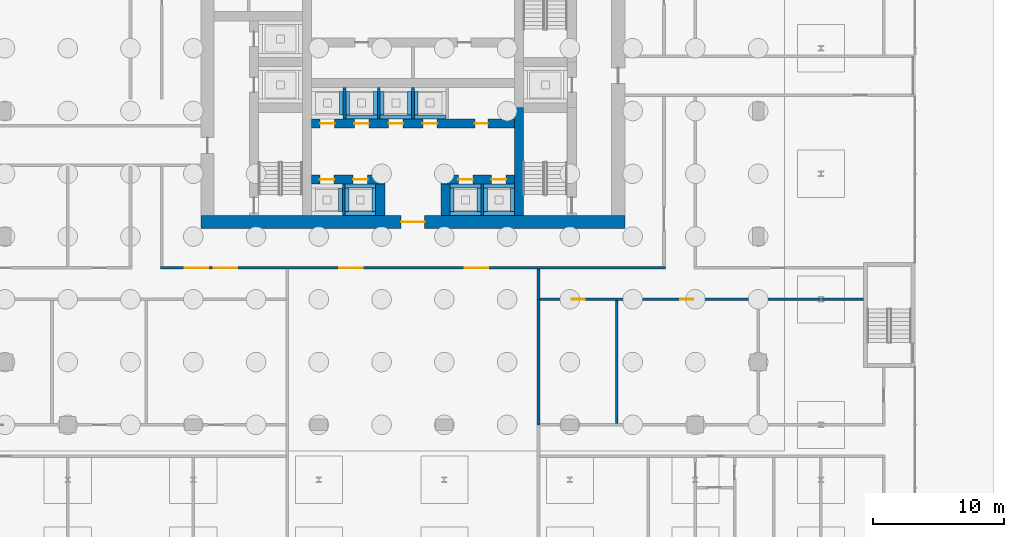
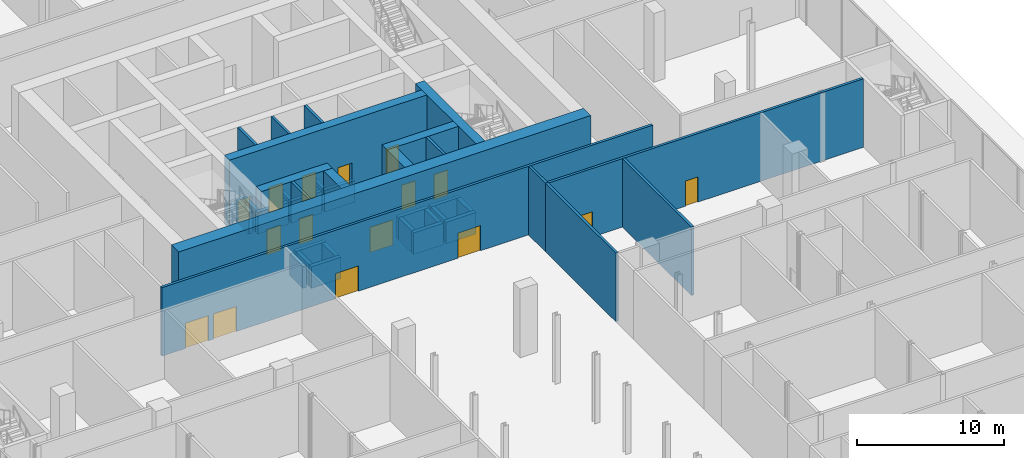
# One storey, part 33 of 44: 39 walls, 16 doors, 16 openings.
"""IFC4 building model written with IfcOpenShell, lengths in metres."""

from ifc_helpers import new_model, si_unit, direction, frame, frame_2d, origin, place, context, subcontext, project, spatial, rectangle, extrude, material, layer, layer_set, type_object, element, fill, save


model = new_model("IFC4")

# Units and contexts
model_context = context("Model", 3, precision=1e-05, world=origin(), true_north=direction((0.0, 1.0)))
body_context = subcontext(model_context, "Body", "Model", "MODEL_VIEW")
ifc_project = project(units=[si_unit("LENGTHUNIT", "METRE"), si_unit("AREAUNIT", "SQUARE_METRE"), si_unit("VOLUMEUNIT", "CUBIC_METRE"), si_unit("PLANEANGLEUNIT", "RADIAN"), si_unit("MASSUNIT", "GRAM", prefix="KILO")], contexts=[model_context])

# Site, building, storey
site_placement = place(None, origin())
site = spatial("IfcSite", under=ifc_project, at=site_placement, CompositionType="ELEMENT")
building_placement = place(site_placement, origin())
building = spatial("IfcBuilding", under=site, at=building_placement, Name="Madar Terraces", CompositionType="ELEMENT")
storey_placement = place(building_placement, origin())
storey = spatial("IfcBuildingStorey", under=building, at=storey_placement, Name="L00", CompositionType="ELEMENT", Elevation=0.0)

# Wall
ifc_material_1 = material(Name="Concrete C80/95", Category="concrete")
ifc_layer_1 = layer(ifc_material_1, 0.699951171875)
ifc_layer_set_1 = layer_set([ifc_layer_1], Name="Concrete C80/95 (CIW1 RC wall 700)")
wall_type_1 = type_object("IfcWallType", Name="CIW1 RC wall 700", PredefinedType="SHEAR", material=ifc_layer_set_1)
wall_1_placement = place(storey_placement, frame((39.300048828125, 16.0, 0.0), z_axis=(0.0, 0.0, 1.0), x_axis=(0.0, 1.0, 0.0)))
element("IfcWall", 1, at=wall_1_placement, inside=storey, type_object=wall_type_1, Name="CORE SHAFT WALL", PredefinedType="SHEAR", context=body_context, shape_type="SweptSolid", body=[
    extrude(rectangle(XDim=8.25, YDim=0.699951171875, at=frame_2d((4.125, 0.0))), origin(), (0.0, 0.0, 1.0), 5.699951171875),
])

# Wall, openings, doors
wall_2_placement = place(storey_placement, frame((23.449951171875, 18.75, 0.0), z_axis=(0.0, 0.0, 1.0), x_axis=(1.0, 0.0, 0.0)))
wall_2 = element("IfcWall", 2, at=wall_2_placement, inside=storey, type_object=wall_type_1, Name="CORE SHAFT WALL", PredefinedType="SHEAR", context=body_context, shape_type="SweptSolid", body=[
    extrude(rectangle(XDim=5.60009765625, YDim=0.699951171875, at=frame_2d((2.800048828125, 0.0))), origin(), (0.0, 0.0, 1.0), 5.699951171875),
])
opening_1_placement = place(wall_2_placement, frame((0.625, 0.0, 0.0)))
opening_1 = element("IfcOpeningElement", 3, at=opening_1_placement, cuts=wall_2, Name="Opening LD", PredefinedType="OPENING", context=body_context, shape_type="SweptSolid", body=[
    extrude(rectangle(XDim=1.10009765625, YDim=2.10009765625, at=frame_2d((0.550048828125, 1.050048828125))), frame((0.0, 0.35986328125, 0.0), z_axis=(0.0, -1.0, 0.0), x_axis=(1.0, 0.0, 0.0)), (0.0, 0.0, 1.0), 0.719970703125),
])
opening_2_placement = place(wall_2_placement, frame((3.175048828125, 0.0, 0.0)))
opening_2 = element("IfcOpeningElement", 4, at=opening_2_placement, cuts=wall_2, Name="Opening LD", PredefinedType="OPENING", context=body_context, shape_type="SweptSolid", body=[
    extrude(rectangle(XDim=1.10009765625, YDim=2.10009765625, at=frame_2d((0.550048828125, 1.050048828125))), frame((0.0, 0.35986328125, 0.0), z_axis=(0.0, -1.0, 0.0), x_axis=(1.0, 0.0, 0.0)), (0.0, 0.0, 1.0), 0.719970703125),
])
ifc_material_2 = material(Name="Stainless steel panel", Category="steel")
door_type_1 = type_object("IfcDoorType", Name="Lift landing door 1100 x 2100", OperationType="DOUBLE_DOOR_SLIDING", PredefinedType="DOOR", material=ifc_material_2)
door_1_placement = place(opening_1_placement, origin())
door_1 = element("IfcDoor", 5, at=door_1_placement, inside=storey, type_object=door_type_1, Name="LIFT LANDING DOOR", OperationType="DOUBLE_DOOR_SLIDING", OverallHeight=2.10009765625, OverallWidth=1.10009765625, PredefinedType="DOOR", context=body_context, shape_type="SweptSolid", body=[
    extrude(rectangle(XDim=1.10009765625, YDim=2.10009765625, at=frame_2d((0.550048828125, 1.050048828125))), frame((0.0, 0.02490234375, 0.0), z_axis=(0.0, -1.0, 0.0), x_axis=(1.0, 0.0, 0.0)), (0.0, 0.0, 1.0), 0.050048828125),
])
fill(opening_1, door_1)
door_2_placement = place(opening_2_placement, origin())
door_2 = element("IfcDoor", 6, at=door_2_placement, inside=storey, type_object=door_type_1, Name="LIFT LANDING DOOR", OperationType="DOUBLE_DOOR_SLIDING", OverallHeight=2.10009765625, OverallWidth=1.10009765625, PredefinedType="DOOR", context=body_context, shape_type="SweptSolid", body=[
    extrude(rectangle(XDim=1.10009765625, YDim=2.10009765625, at=frame_2d((0.550048828125, 1.050048828125))), frame((0.0, 0.02490234375, 0.0), z_axis=(0.0, -1.0, 0.0), x_axis=(1.0, 0.0, 0.0)), (0.0, 0.0, 1.0), 0.050048828125),
])
fill(opening_2, door_2)

wall_3_placement = place(storey_placement, frame((33.35009765625, 18.75, 0.0), z_axis=(0.0, 0.0, 1.0), x_axis=(1.0, 0.0, 0.0)))
wall_3 = element("IfcWall", 7, at=wall_3_placement, inside=storey, type_object=wall_type_1, Name="CORE SHAFT WALL", PredefinedType="SHEAR", context=body_context, shape_type="SweptSolid", body=[
    extrude(rectangle(XDim=5.599853515625, YDim=0.699951171875, at=frame_2d((2.7998046875, 0.0))), origin(), (0.0, 0.0, 1.0), 5.699951171875),
])
opening_3_placement = place(wall_3_placement, frame((1.324951171875, 0.0, 0.0)))
opening_3 = element("IfcOpeningElement", 8, at=opening_3_placement, cuts=wall_3, Name="Opening LD", PredefinedType="OPENING", context=body_context, shape_type="SweptSolid", body=[
    extrude(rectangle(XDim=1.10009765625, YDim=2.10009765625, at=frame_2d((0.550048828125, 1.050048828125))), frame((0.0, 0.35986328125, 0.0), z_axis=(0.0, -1.0, 0.0), x_axis=(1.0, 0.0, 0.0)), (0.0, 0.0, 1.0), 0.719970703125),
])
opening_4_placement = place(wall_3_placement, frame((3.875, 0.0, 0.0)))
opening_4 = element("IfcOpeningElement", 9, at=opening_4_placement, cuts=wall_3, Name="Opening LD", PredefinedType="OPENING", context=body_context, shape_type="SweptSolid", body=[
    extrude(rectangle(XDim=1.10009765625, YDim=2.10009765625, at=frame_2d((0.550048828125, 1.050048828125))), frame((0.0, 0.35986328125, 0.0), z_axis=(0.0, -1.0, 0.0), x_axis=(1.0, 0.0, 0.0)), (0.0, 0.0, 1.0), 0.719970703125),
])
door_3_placement = place(opening_3_placement, origin())
door_3 = element("IfcDoor", 10, at=door_3_placement, inside=storey, type_object=door_type_1, Name="LIFT LANDING DOOR", OperationType="DOUBLE_DOOR_SLIDING", OverallHeight=2.10009765625, OverallWidth=1.10009765625, PredefinedType="DOOR", context=body_context, shape_type="SweptSolid", body=[
    extrude(rectangle(XDim=1.10009765625, YDim=2.10009765625, at=frame_2d((0.550048828125, 1.050048828125))), frame((0.0, 0.02490234375, 0.0), z_axis=(0.0, -1.0, 0.0), x_axis=(1.0, 0.0, 0.0)), (0.0, 0.0, 1.0), 0.050048828125),
])
fill(opening_3, door_3)
door_4_placement = place(opening_4_placement, origin())
door_4 = element("IfcDoor", 11, at=door_4_placement, inside=storey, type_object=door_type_1, Name="LIFT LANDING DOOR", OperationType="DOUBLE_DOOR_SLIDING", OverallHeight=2.10009765625, OverallWidth=1.10009765625, PredefinedType="DOOR", context=body_context, shape_type="SweptSolid", body=[
    extrude(rectangle(XDim=1.10009765625, YDim=2.10009765625, at=frame_2d((0.550048828125, 1.050048828125))), frame((0.0, 0.02490234375, 0.0), z_axis=(0.0, -1.0, 0.0), x_axis=(1.0, 0.0, 0.0)), (0.0, 0.0, 1.0), 0.050048828125),
])
fill(opening_4, door_4)

wall_4_placement = place(storey_placement, frame((23.449951171875, 23.050048828125, 0.0), z_axis=(0.0, 0.0, 1.0), x_axis=(1.0, 0.0, 0.0)))
wall_4 = element("IfcWall", 12, at=wall_4_placement, inside=storey, type_object=wall_type_1, Name="CORE SHAFT WALL", PredefinedType="SHEAR", context=body_context, shape_type="SweptSolid", body=[
    extrude(rectangle(XDim=15.5, YDim=0.699951171875, at=frame_2d((7.75, 0.0))), origin(), (0.0, 0.0, 1.0), 5.699951171875),
])
opening_5_placement = place(wall_4_placement, frame((0.658447265625, 0.0, 0.0)))
opening_5 = element("IfcOpeningElement", 13, at=opening_5_placement, cuts=wall_4, Name="Opening LD", PredefinedType="OPENING", context=body_context, shape_type="SweptSolid", body=[
    extrude(rectangle(XDim=1.10009765625, YDim=2.10009765625, at=frame_2d((0.550048828125, 1.050048828125))), frame((0.0, 0.35986328125, 0.0), z_axis=(0.0, -1.0, 0.0), x_axis=(1.0, 0.0, 0.0)), (0.0, 0.0, 1.0), 0.719970703125),
])
opening_6_placement = place(wall_4_placement, frame((3.27490234375, 0.0, 0.0)))
opening_6 = element("IfcOpeningElement", 14, at=opening_6_placement, cuts=wall_4, Name="Opening LD", PredefinedType="OPENING", context=body_context, shape_type="SweptSolid", body=[
    extrude(rectangle(XDim=1.10009765625, YDim=2.10009765625, at=frame_2d((0.550048828125, 1.050048828125))), frame((0.0, 0.35986328125, 0.0), z_axis=(0.0, -1.0, 0.0), x_axis=(1.0, 0.0, 0.0)), (0.0, 0.0, 1.0), 0.719970703125),
])
opening_7_placement = place(wall_4_placement, frame((5.8916015625, 0.0, 0.0)))
opening_7 = element("IfcOpeningElement", 15, at=opening_7_placement, cuts=wall_4, Name="Opening LD", PredefinedType="OPENING", context=body_context, shape_type="SweptSolid", body=[
    extrude(rectangle(XDim=1.10009765625, YDim=2.10009765625, at=frame_2d((0.550048828125, 1.050048828125))), frame((0.0, 0.35986328125, 0.0), z_axis=(0.0, -1.0, 0.0), x_axis=(1.0, 0.0, 0.0)), (0.0, 0.0, 1.0), 0.719970703125),
])
opening_8_placement = place(wall_4_placement, frame((8.50830078125, 0.0, 0.0)))
opening_8 = element("IfcOpeningElement", 16, at=opening_8_placement, cuts=wall_4, Name="Opening LD", PredefinedType="OPENING", context=body_context, shape_type="SweptSolid", body=[
    extrude(rectangle(XDim=1.10009765625, YDim=2.10009765625, at=frame_2d((0.550048828125, 1.050048828125))), frame((0.0, 0.35986328125, 0.0), z_axis=(0.0, -1.0, 0.0), x_axis=(1.0, 0.0, 0.0)), (0.0, 0.0, 1.0), 0.719970703125),
])
opening_9_placement = place(wall_4_placement, frame((12.4833984375, 0.0, 0.0)))
opening_9 = element("IfcOpeningElement", 17, at=opening_9_placement, cuts=wall_4, Name="Opening KD2", PredefinedType="OPENING", context=body_context, shape_type="SweptSolid", body=[
    extrude(rectangle(XDim=1.0, YDim=2.10009765625, at=frame_2d((0.5, 1.050048828125))), frame((0.0, 0.35986328125, 0.0), z_axis=(0.0, -1.0, 0.0), x_axis=(1.0, 0.0, 0.0)), (0.0, 0.0, 1.0), 0.719970703125),
])
door_5_placement = place(opening_5_placement, origin())
door_5 = element("IfcDoor", 18, at=door_5_placement, inside=storey, type_object=door_type_1, Name="LIFT LANDING DOOR", OperationType="DOUBLE_DOOR_SLIDING", OverallHeight=2.10009765625, OverallWidth=1.10009765625, PredefinedType="DOOR", context=body_context, shape_type="SweptSolid", body=[
    extrude(rectangle(XDim=1.10009765625, YDim=2.10009765625, at=frame_2d((0.550048828125, 1.050048828125))), frame((0.0, 0.02490234375, 0.0), z_axis=(0.0, -1.0, 0.0), x_axis=(1.0, 0.0, 0.0)), (0.0, 0.0, 1.0), 0.050048828125),
])
fill(opening_5, door_5)
door_6_placement = place(opening_6_placement, origin())
door_6 = element("IfcDoor", 19, at=door_6_placement, inside=storey, type_object=door_type_1, Name="LIFT LANDING DOOR", OperationType="DOUBLE_DOOR_SLIDING", OverallHeight=2.10009765625, OverallWidth=1.10009765625, PredefinedType="DOOR", context=body_context, shape_type="SweptSolid", body=[
    extrude(rectangle(XDim=1.10009765625, YDim=2.10009765625, at=frame_2d((0.550048828125, 1.050048828125))), frame((0.0, 0.02490234375, 0.0), z_axis=(0.0, -1.0, 0.0), x_axis=(1.0, 0.0, 0.0)), (0.0, 0.0, 1.0), 0.050048828125),
])
fill(opening_6, door_6)
door_7_placement = place(opening_7_placement, origin())
door_7 = element("IfcDoor", 20, at=door_7_placement, inside=storey, type_object=door_type_1, Name="LIFT LANDING DOOR", OperationType="DOUBLE_DOOR_SLIDING", OverallHeight=2.10009765625, OverallWidth=1.10009765625, PredefinedType="DOOR", context=body_context, shape_type="SweptSolid", body=[
    extrude(rectangle(XDim=1.10009765625, YDim=2.10009765625, at=frame_2d((0.550048828125, 1.050048828125))), frame((0.0, 0.02490234375, 0.0), z_axis=(0.0, -1.0, 0.0), x_axis=(1.0, 0.0, 0.0)), (0.0, 0.0, 1.0), 0.050048828125),
])
fill(opening_7, door_7)
door_8_placement = place(opening_8_placement, origin())
door_8 = element("IfcDoor", 21, at=door_8_placement, inside=storey, type_object=door_type_1, Name="LIFT LANDING DOOR", OperationType="DOUBLE_DOOR_SLIDING", OverallHeight=2.10009765625, OverallWidth=1.10009765625, PredefinedType="DOOR", context=body_context, shape_type="SweptSolid", body=[
    extrude(rectangle(XDim=1.10009765625, YDim=2.10009765625, at=frame_2d((0.550048828125, 1.050048828125))), frame((0.0, 0.02490234375, 0.0), z_axis=(0.0, -1.0, 0.0), x_axis=(1.0, 0.0, 0.0)), (0.0, 0.0, 1.0), 0.050048828125),
])
fill(opening_8, door_8)
ifc_material_3 = material(Name="Steel door leaf", Category="steel")
door_type_2 = type_object("IfcDoorType", Name="Service room door 1000 x 2100", OperationType="NOTDEFINED", PredefinedType="DOOR", material=ifc_material_3)
door_9_placement = place(opening_9_placement, frame((1.0, 0.0, 0.0), z_axis=(0.0, 0.0, 1.0), x_axis=(-1.0, 0.0, 0.0)))
door_9 = element("IfcDoor", 22, at=door_9_placement, inside=storey, type_object=door_type_2, Name="SERVICE ROOM DOOR", OperationType="SINGLE_SWING_LEFT", OverallHeight=2.10009765625, OverallWidth=1.0, PredefinedType="DOOR", context=body_context, shape_type="SweptSolid", body=[
    extrude(rectangle(XDim=1.0, YDim=2.10009765625, at=frame_2d((0.5, 1.050048828125))), frame((0.0, 0.02490234375, 0.0), z_axis=(0.0, -1.0, 0.0), x_axis=(1.0, 0.0, 0.0)), (0.0, 0.0, 1.0), 0.050048828125),
])
fill(opening_9, door_9)

# Walls
for number, where, z_axis, x_axis, name in (
    (23, (28.699951171875, 16.0, 0.0), (0.0, 0.0, 1.0), (0.0, 1.0, 0.0), "CORE SHAFT WALL"),
    (24, (33.699951171875, 16.0, 0.0), (0.0, 0.0, 1.0), (0.0, 1.0, 0.0), "CORE SHAFT WALL"),
):
    element("IfcWall", number, at=place(storey_placement, frame(where, z_axis=z_axis, x_axis=x_axis)), inside=storey, type_object=wall_type_1, Name=name, PredefinedType="SHEAR", context=body_context, shape_type="SweptSolid", body=[
        extrude(rectangle(XDim=2.39990234375, YDim=0.699951171875, at=frame_2d((1.199951171875, 0.0))), origin(), (0.0, 0.0, 1.0), 5.699951171875),
    ])

# Wall, opening, door
ifc_material_4 = material(Name="Concrete C80/95", Category="concrete")
ifc_layer_2 = layer(ifc_material_4, 1.0)
ifc_layer_set_2 = layer_set([ifc_layer_2], Name="Concrete C80/95 (CRW1 RC wall 1000)")
wall_type_2 = type_object("IfcWallType", Name="CRW1 RC wall 1000", PredefinedType="SHEAR", material=ifc_layer_set_2)
wall_5_placement = place(storey_placement, frame((15.0, 15.5, 0.0), z_axis=(0.0, 0.0, 1.0), x_axis=(1.0, 0.0, 0.0)))
wall_5 = element("IfcWall", 25, at=wall_5_placement, inside=storey, type_object=wall_type_2, Name="CORE OUTER WALL", PredefinedType="SHEAR", context=body_context, shape_type="SweptSolid", body=[
    extrude(rectangle(XDim=32.39990234375, YDim=1.0, at=frame_2d((16.199951171875, 0.0))), origin(), (0.0, 0.0, 1.0), 5.699951171875),
])
opening_10_placement = place(wall_5_placement, frame((15.300048828125, 0.0, 0.0)))
opening_10 = element("IfcOpeningElement", 26, at=opening_10_placement, cuts=wall_5, Name="Opening KD1", PredefinedType="OPENING", context=body_context, shape_type="SweptSolid", body=[
    extrude(rectangle(XDim=1.800048828125, YDim=2.10009765625, at=frame_2d((0.89990234375, 1.050048828125))), frame((0.0, 0.510009765625, 0.0), z_axis=(0.0, -1.0, 0.0), x_axis=(1.0, 0.0, 0.0)), (0.0, 0.0, 1.0), 1.02001953125),
])
ifc_material_5 = material(Name="Steel door leaf", Category="steel")
door_type_3 = type_object("IfcDoorType", Name="Lobby door pair 1800 x 2100", OperationType="DOUBLE_DOOR_SINGLE_SWING", PredefinedType="DOOR", material=ifc_material_5)
door_10_placement = place(opening_10_placement, frame((1.800048828125, 0.0, 0.0), z_axis=(0.0, 0.0, 1.0), x_axis=(-1.0, 0.0, 0.0)))
door_10 = element("IfcDoor", 27, at=door_10_placement, inside=storey, type_object=door_type_3, Name="LIFT LOBBY DOOR", OperationType="DOUBLE_DOOR_SINGLE_SWING", OverallHeight=2.10009765625, OverallWidth=1.800048828125, PredefinedType="DOOR", context=body_context, shape_type="SweptSolid", body=[
    extrude(rectangle(XDim=1.800048828125, YDim=2.10009765625, at=frame_2d((0.89990234375, 1.050048828125))), frame((0.0, 0.02490234375, 0.0), z_axis=(0.0, -1.0, 0.0), x_axis=(1.0, 0.0, 0.0)), (0.0, 0.0, 1.0), 0.050048828125),
])
fill(opening_10, door_10)

# Walls
ifc_material_6 = material(Name="Concrete C40/50", Category="concrete")
ifc_layer_3 = layer(ifc_material_6, 0.199951171875)
ifc_layer_set_3 = layer_set([ifc_layer_3], Name="Core shaft dividing wall 200 C40/50")
wall_type_3 = type_object("IfcWallType", Name="Core shaft dividing wall 200 C40/50", PredefinedType="SOLIDWALL", material=ifc_layer_set_3)
for number, where, z_axis, x_axis, name in (
    (28, (25.966552734375, 23.39990234375, 0.0), (0.0, 0.0, 1.0), (0.0, 1.0, 0.0), "SHAFT DIVIDING WALL"),
    (29, (28.583251953125, 23.39990234375, 0.0), (0.0, 0.0, 1.0), (0.0, 1.0, 0.0), "SHAFT DIVIDING WALL"),
    (30, (31.199951171875, 23.39990234375, 0.0), (0.0, 0.0, 1.0), (0.0, 1.0, 0.0), "SHAFT DIVIDING WALL"),
):
    element("IfcWall", number, at=place(storey_placement, frame(where, z_axis=z_axis, x_axis=x_axis)), inside=storey, type_object=wall_type_3, Name=name, PredefinedType="SOLIDWALL", context=body_context, shape_type="SweptSolid", body=[
        extrude(rectangle(XDim=2.400146484375, YDim=0.199951171875, at=frame_2d((1.2001953125, 0.0))), origin(), (0.0, 0.0, 1.0), 5.699951171875),
    ])
for number, where, z_axis, x_axis, name in (
    (31, (25.89990234375, 16.0, 0.0), (0.0, 0.0, 1.0), (0.0, 1.0, 0.0), "SHAFT DIVIDING WALL"),
    (32, (36.5, 16.0, 0.0), (0.0, 0.0, 1.0), (0.0, 1.0, 0.0), "SHAFT DIVIDING WALL"),
):
    element("IfcWall", number, at=place(storey_placement, frame(where, z_axis=z_axis, x_axis=x_axis)), inside=storey, type_object=wall_type_3, Name=name, PredefinedType="SOLIDWALL", context=body_context, shape_type="SweptSolid", body=[
        extrude(rectangle(XDim=2.39990234375, YDim=0.199951171875, at=frame_2d((1.199951171875, 0.0))), origin(), (0.0, 0.0, 1.0), 5.699951171875),
    ])
ifc_material_7 = material(Name="Concrete C40/50", Category="concrete")
ifc_layer_4 = layer(ifc_material_7, 0.300048828125)
ifc_layer_set_4 = layer_set([ifc_layer_4], Name="Lift pit wall 300 C40/50")
wall_type_4 = type_object("IfcWallType", Name="Lift pit wall 300 C40/50", PredefinedType="SOLIDWALL", material=ifc_layer_set_4)
wall_6_placement = place(storey_placement, frame((25.64990234375, 16.300048828125, -1.800048828125), z_axis=(0.0, 0.0, 1.0), x_axis=(0.0, 1.0, 0.0)))
element("IfcWall", 33, at=wall_6_placement, inside=storey, type_object=wall_type_4, Name="LIFT PIT WALL LR1", PredefinedType="SOLIDWALL", context=body_context, shape_type="SweptSolid", body=[
    extrude(rectangle(XDim=1.800048828125, YDim=0.300048828125, at=frame_2d((0.89990234375, 0.0))), origin(), (0.0, 0.0, 1.0), 1.800048828125),
])
for number, where, z_axis, x_axis, name in (
    (34, (26.0, 16.14990234375, -1.800048828125), (0.0, 0.0, 1.0), (1.0, 0.0, 0.0), "LIFT PIT WALL LR2"),
    (35, (26.0, 18.25, -1.800048828125), (0.0, 0.0, 1.0), (1.0, 0.0, 0.0), "LIFT PIT WALL LR2"),
):
    element("IfcWall", number, at=place(storey_placement, frame(where, z_axis=z_axis, x_axis=x_axis)), inside=storey, type_object=wall_type_4, Name=name, PredefinedType="SOLIDWALL", context=body_context, shape_type="SweptSolid", body=[
        extrude(rectangle(XDim=2.35009765625, YDim=0.300048828125, at=frame_2d((1.175048828125, 0.0))), origin(), (0.0, 0.0, 1.0), 1.800048828125),
    ])
for number, where, z_axis, x_axis, name in (
    (36, (26.14990234375, 16.300048828125, -1.800048828125), (0.0, 0.0, 1.0), (0.0, 1.0, 0.0), "LIFT PIT WALL LR2"),
    (37, (28.199951171875, 16.300048828125, -1.800048828125), (0.0, 0.0, 1.0), (0.0, 1.0, 0.0), "LIFT PIT WALL LR2"),
):
    element("IfcWall", number, at=place(storey_placement, frame(where, z_axis=z_axis, x_axis=x_axis)), inside=storey, type_object=wall_type_4, Name=name, PredefinedType="SOLIDWALL", context=body_context, shape_type="SweptSolid", body=[
        extrude(rectangle(XDim=1.800048828125, YDim=0.300048828125, at=frame_2d((0.89990234375, 0.0))), origin(), (0.0, 0.0, 1.0), 1.800048828125),
    ])
for number, where, z_axis, x_axis, name in (
    (38, (34.050048828125, 16.14990234375, -1.800048828125), (0.0, 0.0, 1.0), (1.0, 0.0, 0.0), "LIFT PIT WALL LR3"),
    (39, (34.050048828125, 18.25, -1.800048828125), (0.0, 0.0, 1.0), (1.0, 0.0, 0.0), "LIFT PIT WALL LR3"),
):
    element("IfcWall", number, at=place(storey_placement, frame(where, z_axis=z_axis, x_axis=x_axis)), inside=storey, type_object=wall_type_4, Name=name, PredefinedType="SOLIDWALL", context=body_context, shape_type="SweptSolid", body=[
        extrude(rectangle(XDim=2.349853515625, YDim=0.300048828125, at=frame_2d((1.1748046875, 0.0))), origin(), (0.0, 0.0, 1.0), 1.800048828125),
    ])
for number, where, z_axis, x_axis, name in (
    (40, (34.199951171875, 16.300048828125, -1.800048828125), (0.0, 0.0, 1.0), (0.0, 1.0, 0.0), "LIFT PIT WALL LR3"),
    (41, (36.25, 16.300048828125, -1.800048828125), (0.0, 0.0, 1.0), (0.0, 1.0, 0.0), "LIFT PIT WALL LR3"),
):
    element("IfcWall", number, at=place(storey_placement, frame(where, z_axis=z_axis, x_axis=x_axis)), inside=storey, type_object=wall_type_4, Name=name, PredefinedType="SOLIDWALL", context=body_context, shape_type="SweptSolid", body=[
        extrude(rectangle(XDim=1.800048828125, YDim=0.300048828125, at=frame_2d((0.89990234375, 0.0))), origin(), (0.0, 0.0, 1.0), 1.800048828125),
    ])
for number, where, z_axis, x_axis, name in (
    (42, (36.60009765625, 16.14990234375, -1.800048828125), (0.0, 0.0, 1.0), (1.0, 0.0, 0.0), "LIFT PIT WALL LR4"),
    (43, (36.60009765625, 18.25, -1.800048828125), (0.0, 0.0, 1.0), (1.0, 0.0, 0.0), "LIFT PIT WALL LR4"),
):
    element("IfcWall", number, at=place(storey_placement, frame(where, z_axis=z_axis, x_axis=x_axis)), inside=storey, type_object=wall_type_4, Name=name, PredefinedType="SOLIDWALL", context=body_context, shape_type="SweptSolid", body=[
        extrude(rectangle(XDim=2.349853515625, YDim=0.300048828125, at=frame_2d((1.1748046875, 0.0))), origin(), (0.0, 0.0, 1.0), 1.800048828125),
    ])
for number, where, z_axis, x_axis, name in (
    (44, (36.75, 16.300048828125, -1.800048828125), (0.0, 0.0, 1.0), (0.0, 1.0, 0.0), "LIFT PIT WALL LR4"),
    (45, (38.800048828125, 16.300048828125, -1.800048828125), (0.0, 0.0, 1.0), (0.0, 1.0, 0.0), "LIFT PIT WALL LR4"),
    (46, (25.716552734375, 23.699951171875, -1.800048828125), (0.0, 0.0, 1.0), (0.0, 1.0, 0.0), "LIFT PIT WALL LR5"),
):
    element("IfcWall", number, at=place(storey_placement, frame(where, z_axis=z_axis, x_axis=x_axis)), inside=storey, type_object=wall_type_4, Name=name, PredefinedType="SOLIDWALL", context=body_context, shape_type="SweptSolid", body=[
        extrude(rectangle(XDim=1.800048828125, YDim=0.300048828125, at=frame_2d((0.89990234375, 0.0))), origin(), (0.0, 0.0, 1.0), 1.800048828125),
    ])
wall_7_placement = place(storey_placement, frame((26.066650390625, 23.550048828125, -1.800048828125), z_axis=(0.0, 0.0, 1.0), x_axis=(1.0, 0.0, 0.0)))
element("IfcWall", 47, at=wall_7_placement, inside=storey, type_object=wall_type_4, Name="LIFT PIT WALL LR6", PredefinedType="SOLIDWALL", context=body_context, shape_type="SweptSolid", body=[
    extrude(rectangle(XDim=2.416748046875, YDim=0.300048828125, at=frame_2d((1.20849609375, 0.0))), origin(), (0.0, 0.0, 1.0), 1.800048828125),
])
for number, where, z_axis, x_axis, name in (
    (48, (26.216552734375, 23.699951171875, -1.800048828125), (0.0, 0.0, 1.0), (0.0, 1.0, 0.0), "LIFT PIT WALL LR6"),
    (49, (28.333251953125, 23.699951171875, -1.800048828125), (0.0, 0.0, 1.0), (0.0, 1.0, 0.0), "LIFT PIT WALL LR6"),
):
    element("IfcWall", number, at=place(storey_placement, frame(where, z_axis=z_axis, x_axis=x_axis)), inside=storey, type_object=wall_type_4, Name=name, PredefinedType="SOLIDWALL", context=body_context, shape_type="SweptSolid", body=[
        extrude(rectangle(XDim=1.800048828125, YDim=0.300048828125, at=frame_2d((0.89990234375, 0.0))), origin(), (0.0, 0.0, 1.0), 1.800048828125),
    ])
wall_8_placement = place(storey_placement, frame((28.683349609375, 23.550048828125, -1.800048828125), z_axis=(0.0, 0.0, 1.0), x_axis=(1.0, 0.0, 0.0)))
element("IfcWall", 50, at=wall_8_placement, inside=storey, type_object=wall_type_4, Name="LIFT PIT WALL OB1", PredefinedType="SOLIDWALL", context=body_context, shape_type="SweptSolid", body=[
    extrude(rectangle(XDim=2.416748046875, YDim=0.300048828125, at=frame_2d((1.20849609375, 0.0))), origin(), (0.0, 0.0, 1.0), 1.800048828125),
])
for number, where, z_axis, x_axis, name in (
    (51, (28.833251953125, 23.699951171875, -1.800048828125), (0.0, 0.0, 1.0), (0.0, 1.0, 0.0), "LIFT PIT WALL OB1"),
    (52, (30.949951171875, 23.699951171875, -1.800048828125), (0.0, 0.0, 1.0), (0.0, 1.0, 0.0), "LIFT PIT WALL OB1"),
):
    element("IfcWall", number, at=place(storey_placement, frame(where, z_axis=z_axis, x_axis=x_axis)), inside=storey, type_object=wall_type_4, Name=name, PredefinedType="SOLIDWALL", context=body_context, shape_type="SweptSolid", body=[
        extrude(rectangle(XDim=1.800048828125, YDim=0.300048828125, at=frame_2d((0.89990234375, 0.0))), origin(), (0.0, 0.0, 1.0), 1.800048828125),
    ])
wall_9_placement = place(storey_placement, frame((31.300048828125, 23.550048828125, -1.800048828125), z_axis=(0.0, 0.0, 1.0), x_axis=(1.0, 0.0, 0.0)))
element("IfcWall", 53, at=wall_9_placement, inside=storey, type_object=wall_type_4, Name="LIFT PIT WALL OB2", PredefinedType="SOLIDWALL", context=body_context, shape_type="SweptSolid", body=[
    extrude(rectangle(XDim=2.41650390625, YDim=0.300048828125, at=frame_2d((1.208251953125, 0.0))), origin(), (0.0, 0.0, 1.0), 1.800048828125),
])
wall_10_placement = place(storey_placement, frame((31.449951171875, 23.699951171875, -1.800048828125), z_axis=(0.0, 0.0, 1.0), x_axis=(0.0, 1.0, 0.0)))
element("IfcWall", 54, at=wall_10_placement, inside=storey, type_object=wall_type_4, Name="LIFT PIT WALL OB2", PredefinedType="SOLIDWALL", context=body_context, shape_type="SweptSolid", body=[
    extrude(rectangle(XDim=1.800048828125, YDim=0.300048828125, at=frame_2d((0.89990234375, 0.0))), origin(), (0.0, 0.0, 1.0), 1.800048828125),
])

# Wall, openings, doors
ifc_material_8 = material(Name="Gypsum board partition, fire-rated")
ifc_layer_5 = layer(ifc_material_8, 0.199951171875)
ifc_layer_set_5 = layer_set([ifc_layer_5], Name="Partition 200 EI 60")
wall_type_5 = type_object("IfcWallType", Name="Partition 200 EI 60", PredefinedType="PARTITIONING", material=ifc_layer_set_5)
wall_11_placement = place(storey_placement, frame((65.64990234375, 9.60009765625, 0.0), z_axis=(0.0, 0.0, 1.0), x_axis=(-1.0, 0.0, 0.0)))
wall_11 = element("IfcWall", 55, at=wall_11_placement, inside=storey, type_object=wall_type_5, Name="Wall CONCIERGE + HOUSING OFFICE", PredefinedType="PARTITIONING", context=body_context, shape_type="SweptSolid", body=[
    extrude(rectangle(XDim=24.75, YDim=0.199951171875, at=frame_2d((12.375, 0.0))), origin(), (0.0, 0.0, 1.0), 5.699951171875),
])
opening_11_placement = place(wall_11_placement, frame((21.300048828125, 0.0, 0.0)))
opening_11 = element("IfcOpeningElement", 56, at=opening_11_placement, cuts=wall_11, Name="Opening D31", PredefinedType="OPENING", context=body_context, shape_type="SweptSolid", body=[
    extrude(rectangle(XDim=1.0, YDim=2.10009765625, at=frame_2d((0.5, 1.050048828125))), frame((0.0, 0.10986328125, 0.0), z_axis=(0.0, -1.0, 0.0), x_axis=(1.0, 0.0, 0.0)), (0.0, 0.0, 1.0), 0.219970703125),
])
opening_12_placement = place(wall_11_placement, frame((13.0, 0.0, 0.0)))
opening_12 = element("IfcOpeningElement", 57, at=opening_12_placement, cuts=wall_11, Name="Opening D31", PredefinedType="OPENING", context=body_context, shape_type="SweptSolid", body=[
    extrude(rectangle(XDim=1.0, YDim=2.10009765625, at=frame_2d((0.5, 1.050048828125))), frame((0.0, 0.10986328125, 0.0), z_axis=(0.0, -1.0, 0.0), x_axis=(1.0, 0.0, 0.0)), (0.0, 0.0, 1.0), 0.219970703125),
])
ifc_material_9 = material(Name="Timber door leaf, fire-rated", Category="wood")
door_type_4 = type_object("IfcDoorType", Name="Podium door 1000 x 2100 FD30S", OperationType="NOTDEFINED", PredefinedType="DOOR", material=ifc_material_9)
door_11_placement = place(opening_11_placement, origin())
door_11 = element("IfcDoor", 58, at=door_11_placement, inside=storey, type_object=door_type_4, Name="Door CONCIERGE / PODIUM CORRIDOR", OperationType="SINGLE_SWING_LEFT", OverallHeight=2.10009765625, OverallWidth=1.0, PredefinedType="DOOR", context=body_context, shape_type="SweptSolid", body=[
    extrude(rectangle(XDim=1.0, YDim=2.10009765625, at=frame_2d((0.5, 1.050048828125))), frame((0.0, 0.02490234375, 0.0), z_axis=(0.0, -1.0, 0.0), x_axis=(1.0, 0.0, 0.0)), (0.0, 0.0, 1.0), 0.050048828125),
])
fill(opening_11, door_11)
door_12_placement = place(opening_12_placement, origin())
door_12 = element("IfcDoor", 59, at=door_12_placement, inside=storey, type_object=door_type_4, Name="Door HOUSING OFFICE / PODIUM CORRIDOR", OperationType="SINGLE_SWING_RIGHT", OverallHeight=2.10009765625, OverallWidth=1.0, PredefinedType="DOOR", context=body_context, shape_type="SweptSolid", body=[
    extrude(rectangle(XDim=1.0, YDim=2.10009765625, at=frame_2d((0.5, 1.050048828125))), frame((0.0, 0.02490234375, 0.0), z_axis=(0.0, -1.0, 0.0), x_axis=(1.0, 0.0, 0.0)), (0.0, 0.0, 1.0), 0.050048828125),
])
fill(opening_12, door_12)

wall_12_placement = place(storey_placement, frame((11.89990234375, 12.0, 0.0), z_axis=(0.0, 0.0, 1.0), x_axis=(1.0, 0.0, 0.0)))
wall_12 = element("IfcWall", 60, at=wall_12_placement, inside=storey, type_object=wall_type_5, Name="Wall ENTRANCE HALL + PODIUM CORRIDOR", PredefinedType="PARTITIONING", context=body_context, shape_type="SweptSolid", body=[
    extrude(rectangle(XDim=38.60009765625, YDim=0.199951171875, at=frame_2d((19.300048828125, 0.0))), origin(), (0.0, 0.0, 1.0), 5.699951171875),
])
opening_13_placement = place(wall_12_placement, frame((1.85009765625, 0.0, 0.0)))
opening_13 = element("IfcOpeningElement", 61, at=opening_13_placement, cuts=wall_12, Name="Opening D30", PredefinedType="OPENING", context=body_context, shape_type="SweptSolid", body=[
    extrude(rectangle(XDim=1.800048828125, YDim=2.10009765625, at=frame_2d((0.89990234375, 1.050048828125))), frame((0.0, 0.10986328125, 0.0), z_axis=(0.0, -1.0, 0.0), x_axis=(1.0, 0.0, 0.0)), (0.0, 0.0, 1.0), 0.219970703125),
])
opening_14_placement = place(wall_12_placement, frame((23.25, 0.0, 0.0)))
opening_14 = element("IfcOpeningElement", 62, at=opening_14_placement, cuts=wall_12, Name="Opening D30", PredefinedType="OPENING", context=body_context, shape_type="SweptSolid", body=[
    extrude(rectangle(XDim=1.800048828125, YDim=2.10009765625, at=frame_2d((0.89990234375, 1.050048828125))), frame((0.0, 0.10986328125, 0.0), z_axis=(0.0, -1.0, 0.0), x_axis=(1.0, 0.0, 0.0)), (0.0, 0.0, 1.0), 0.219970703125),
])
opening_15_placement = place(wall_12_placement, frame((13.64990234375, 0.0, 0.0)))
opening_15 = element("IfcOpeningElement", 63, at=opening_15_placement, cuts=wall_12, Name="Opening D30", PredefinedType="OPENING", context=body_context, shape_type="SweptSolid", body=[
    extrude(rectangle(XDim=1.800048828125, YDim=2.10009765625, at=frame_2d((0.89990234375, 1.050048828125))), frame((0.0, 0.10986328125, 0.0), z_axis=(0.0, -1.0, 0.0), x_axis=(1.0, 0.0, 0.0)), (0.0, 0.0, 1.0), 0.219970703125),
])
opening_16_placement = place(wall_12_placement, frame((4.050048828125, 0.0, 0.0)))
opening_16 = element("IfcOpeningElement", 64, at=opening_16_placement, cuts=wall_12, Name="Opening D30", PredefinedType="OPENING", context=body_context, shape_type="SweptSolid", body=[
    extrude(rectangle(XDim=1.800048828125, YDim=2.10009765625, at=frame_2d((0.89990234375, 1.050048828125))), frame((0.0, 0.10986328125, 0.0), z_axis=(0.0, -1.0, 0.0), x_axis=(1.0, 0.0, 0.0)), (0.0, 0.0, 1.0), 0.219970703125),
])
ifc_material_10 = material(Name="Timber door leaf, fire-rated", Category="wood")
door_type_5 = type_object("IfcDoorType", Name="Podium double door 1800 x 2100 FD30S", OperationType="DOUBLE_DOOR_SINGLE_SWING", PredefinedType="DOOR", material=ifc_material_10)
door_13_placement = place(opening_13_placement, origin())
door_13 = element("IfcDoor", 65, at=door_13_placement, inside=storey, type_object=door_type_5, Name="Door PODIUM CORRIDOR / RING CORRIDOR", OperationType="DOUBLE_DOOR_SINGLE_SWING", OverallHeight=2.10009765625, OverallWidth=1.800048828125, PredefinedType="DOOR", context=body_context, shape_type="SweptSolid", body=[
    extrude(rectangle(XDim=1.800048828125, YDim=2.10009765625, at=frame_2d((0.89990234375, 1.050048828125))), frame((0.0, 0.02490234375, 0.0), z_axis=(0.0, -1.0, 0.0), x_axis=(1.0, 0.0, 0.0)), (0.0, 0.0, 1.0), 0.050048828125),
])
fill(opening_13, door_13)
door_14_placement = place(opening_14_placement, origin())
door_14 = element("IfcDoor", 66, at=door_14_placement, inside=storey, type_object=door_type_5, Name="Door ENTRANCE HALL / RING CORRIDOR", OperationType="DOUBLE_DOOR_SINGLE_SWING", OverallHeight=2.10009765625, OverallWidth=1.800048828125, PredefinedType="DOOR", context=body_context, shape_type="SweptSolid", body=[
    extrude(rectangle(XDim=1.800048828125, YDim=2.10009765625, at=frame_2d((0.89990234375, 1.050048828125))), frame((0.0, 0.02490234375, 0.0), z_axis=(0.0, -1.0, 0.0), x_axis=(1.0, 0.0, 0.0)), (0.0, 0.0, 1.0), 0.050048828125),
])
fill(opening_14, door_14)
door_15_placement = place(opening_15_placement, origin())
door_15 = element("IfcDoor", 67, at=door_15_placement, inside=storey, type_object=door_type_5, Name="Door ENTRANCE HALL / RING CORRIDOR", OperationType="DOUBLE_DOOR_SINGLE_SWING", OverallHeight=2.10009765625, OverallWidth=1.800048828125, PredefinedType="DOOR", context=body_context, shape_type="SweptSolid", body=[
    extrude(rectangle(XDim=1.800048828125, YDim=2.10009765625, at=frame_2d((0.89990234375, 1.050048828125))), frame((0.0, 0.02490234375, 0.0), z_axis=(0.0, -1.0, 0.0), x_axis=(1.0, 0.0, 0.0)), (0.0, 0.0, 1.0), 0.050048828125),
])
fill(opening_15, door_15)
door_16_placement = place(opening_16_placement, origin())
door_16 = element("IfcDoor", 68, at=door_16_placement, inside=storey, type_object=door_type_5, Name="Door PODIUM CORRIDOR / RING CORRIDOR", OperationType="DOUBLE_DOOR_SINGLE_SWING", OverallHeight=2.10009765625, OverallWidth=1.800048828125, PredefinedType="DOOR", context=body_context, shape_type="SweptSolid", body=[
    extrude(rectangle(XDim=1.800048828125, YDim=2.10009765625, at=frame_2d((0.89990234375, 1.050048828125))), frame((0.0, 0.02490234375, 0.0), z_axis=(0.0, -1.0, 0.0), x_axis=(1.0, 0.0, 0.0)), (0.0, 0.0, 1.0), 0.050048828125),
])
fill(opening_16, door_16)

# Walls
wall_13_placement = place(storey_placement, frame((40.800048828125, 0.0, 0.0), z_axis=(0.0, 0.0, 1.0), x_axis=(0.0, 1.0, 0.0)))
element("IfcWall", 69, at=wall_13_placement, inside=storey, type_object=wall_type_5, Name="Wall CONCIERGE / ENTRANCE HALL", PredefinedType="PARTITIONING", context=body_context, shape_type="SweptSolid", body=[
    extrude(rectangle(XDim=9.60009765625, YDim=0.199951171875, at=frame_2d((4.800048828125, 0.0))), origin(), (0.0, 0.0, 1.0), 5.699951171875),
])
wall_14_placement = place(storey_placement, frame((40.800048828125, 9.60009765625, 0.0), z_axis=(0.0, 0.0, 1.0), x_axis=(0.0, 1.0, 0.0)))
element("IfcWall", 70, at=wall_14_placement, inside=storey, type_object=wall_type_5, Name="Wall ENTRANCE HALL / PODIUM CORRIDOR", PredefinedType="PARTITIONING", context=body_context, shape_type="SweptSolid", body=[
    extrude(rectangle(XDim=2.2998046875, YDim=0.199951171875, at=frame_2d((1.14990234375, 0.0))), origin(), (0.0, 0.0, 1.0), 5.699951171875),
])
wall_15_placement = place(storey_placement, frame((46.800048828125, 0.10009765625, 0.0), z_axis=(0.0, 0.0, 1.0), x_axis=(0.0, 1.0, 0.0)))
element("IfcWall", 71, at=wall_15_placement, inside=storey, type_object=wall_type_5, Name="Wall CONCIERGE / HOUSING OFFICE", PredefinedType="PARTITIONING", context=body_context, shape_type="SweptSolid", body=[
    extrude(rectangle(XDim=9.39990234375, YDim=0.199951171875, at=frame_2d((4.699951171875, 0.0))), origin(), (0.0, 0.0, 1.0), 5.699951171875),
])

save(model, "model.ifc")
